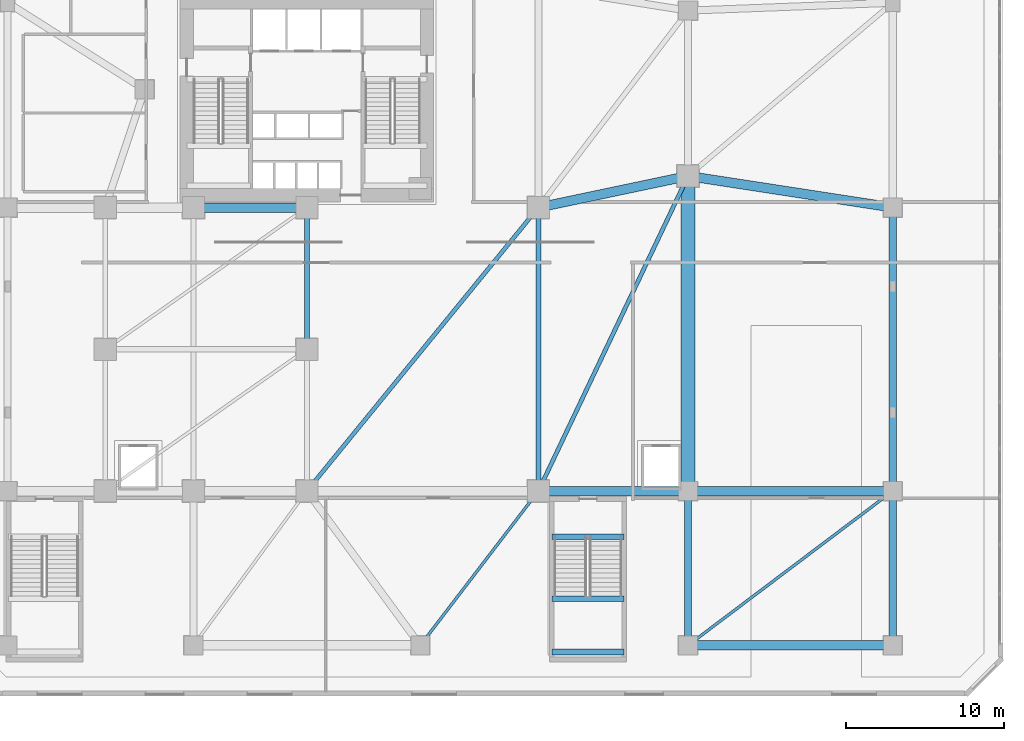
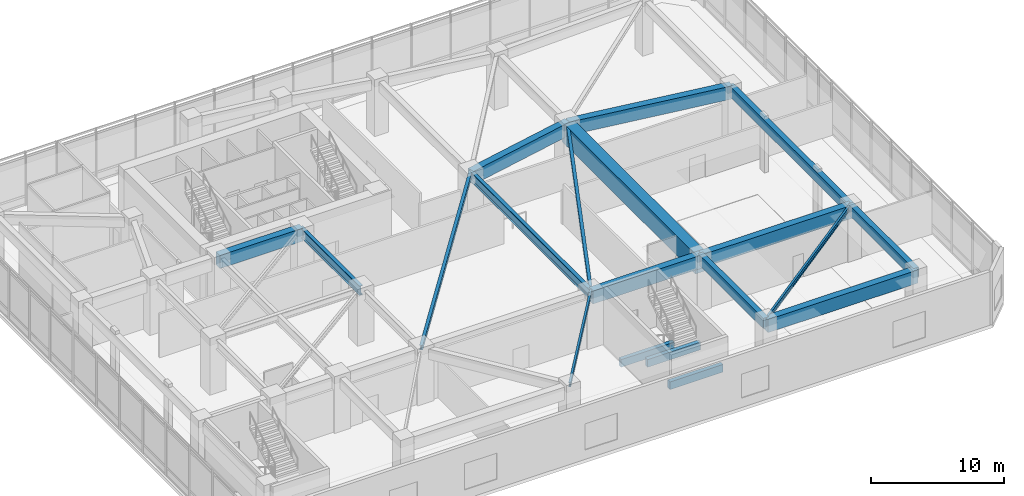
# One storey, part 4 of 16: 19 beams.
"""IFC4 building model written with IfcOpenShell, lengths in metres."""

import ifcopenshell
import ifcopenshell.guid

model = None  # the IFC model being written
_history = None  # IfcOwnerHistory: only IFC2X3 demands one
_inside = {}  # id of a spatial element -> (the spatial element, [elements in it])
_under = {}  # id of a project, library or spatial element -> (it, [spatial elements below it])
_declared = {}  # id of a project -> (the project, [libraries it declares])
_typed = {}  # id of a type object -> (the type object, [elements of that type])
_made_of = {}  # id of a material, layer set ... -> (it, [elements and type objects made of it])


def new_model(schema):
    """Start an empty IFC model of exactly this schema.

    Asked for "IFC4X3", IfcOpenShell would pick the latest addendum, in which some entities
    have other attributes; the version numbers below select the first issue.
    IFC2X3 requires an IfcOwnerHistory on every rooted entity: one is made here for all.
    """
    global model, _history
    if schema == "IFC4X3":
        model = ifcopenshell.file(schema_version=(4, 3, 0, 0))
    else:
        model = ifcopenshell.file(schema=schema)
    _inside.clear()
    _under.clear()
    _declared.clear()
    _typed.clear()
    _made_of.clear()
    _history = None
    if model.schema == "IFC2X3":
        org = make("IfcOrganization", Name="unknown")
        user = make(
            "IfcPersonAndOrganization",
            ThePerson=make("IfcPerson", FamilyName="unknown"),
            TheOrganization=org,
        )
        app = make(
            "IfcApplication",
            ApplicationDeveloper=org,
            Version="unknown",
            ApplicationFullName="unknown",
            ApplicationIdentifier="unknown",
        )
        _history = make(
            "IfcOwnerHistory",
            OwningUser=user,
            OwningApplication=app,
            ChangeAction="ADDED",
            CreationDate=0,
        )
    return model


def make(cls, **values):
    """One entity of the class cls with the attributes given. An attribute that is None is left unset."""
    return model.create_entity(
        cls, **{name: value for name, value in values.items() if value is not None}
    )


def rooted(cls, **values):
    """An entity with a GlobalId (a new one), such as an element, a storey or a relation."""
    return make(cls, GlobalId=ifcopenshell.guid.new(), OwnerHistory=_history, **values)


def si_unit(unit_type, name, prefix=None):
    """IfcSIUnit, for example si_unit("LENGTHUNIT", "METRE", prefix="MILLI")."""
    return make("IfcSIUnit", UnitType=unit_type, Prefix=prefix, Name=name)


def assignment(units):
    """IfcUnitAssignment: the units of a project."""
    return None if units is None else make("IfcUnitAssignment", Units=units)


def point(xyz):
    """IfcCartesianPoint."""
    return None if xyz is None else make("IfcCartesianPoint", Coordinates=xyz)


def direction(xyz):
    """IfcDirection."""
    return None if xyz is None else make("IfcDirection", DirectionRatios=xyz)


def frame(location, z_axis=None, x_axis=None):
    """IfcAxis2Placement3D, a coordinate frame: its origin and axes. An axis left out is left unset."""
    return make(
        "IfcAxis2Placement3D",
        Location=point(location),
        Axis=direction(z_axis),
        RefDirection=direction(x_axis),
    )


def frame_2d(location, x_axis=None):
    """IfcAxis2Placement2D, a coordinate frame in the plane: its origin and x axis."""
    return make(
        "IfcAxis2Placement2D", Location=point(location), RefDirection=direction(x_axis)
    )


def origin():
    """The frame at (0, 0, 0) with its axes left unset."""
    return frame((0.0, 0.0, 0.0))


def origin_2d():
    """The frame at (0, 0) in the plane with its x axis left unset."""
    return frame_2d((0.0, 0.0))


def place(relative_to, where):
    """IfcLocalPlacement: puts the frame where relative to a parent placement (None: the world)."""
    return make(
        "IfcLocalPlacement", PlacementRelTo=relative_to, RelativePlacement=where
    )


def context(
    kind, dimensions, precision=None, world=None, true_north=None, identifier=None
):
    """IfcGeometricRepresentationContext, for example the 3D "Model" context."""
    return make(
        "IfcGeometricRepresentationContext",
        ContextIdentifier=identifier,
        ContextType=kind,
        CoordinateSpaceDimension=dimensions,
        Precision=precision,
        WorldCoordinateSystem=world,
        TrueNorth=true_north,
    )


def subcontext(parent, identifier, kind, view, scale=None):
    """IfcGeometricRepresentationSubContext, for example "Body" below "Model"."""
    return make(
        "IfcGeometricRepresentationSubContext",
        ContextIdentifier=identifier,
        ContextType=kind,
        ParentContext=parent,
        TargetScale=scale,
        TargetView=view,
    )


def project(units=None, contexts=None):
    """IfcProject with its units and contexts."""
    return rooted(
        "IfcProject",
        Name="project",
        RepresentationContexts=contexts,
        UnitsInContext=assignment(units),
    )


def spatial(cls, under=None, at=None, **own):
    """A site, building, storey or space (cls), placed at a placement, below another one or the project."""
    s = rooted(cls, ObjectPlacement=at, **own)
    if under is not None:
        _under.setdefault(under.id(), (under, []))[1].append(s)
    return s


def profile(cls, at=None, kind="AREA", **sizes):
    """A parametric profile (cls). Its sizes go by their IFC names, for example OverallWidth=200.0."""
    return make(cls, ProfileType=kind, Position=at, **sizes)


def rectangle(**sizes):
    """IfcRectangleProfileDef."""
    return profile("IfcRectangleProfileDef", **sizes)


def i_section(**sizes):
    """IfcIShapeProfileDef."""
    return profile("IfcIShapeProfileDef", **sizes)


def extrude(swept, where, along, depth):
    """IfcExtrudedAreaSolid: the profile swept, set in the frame where, extruded along a direction by depth."""
    return make(
        "IfcExtrudedAreaSolid",
        SweptArea=swept,
        Position=where,
        ExtrudedDirection=direction(along),
        Depth=depth,
    )


def shape(context_of_items, identifier, shape_type, items):
    """IfcShapeRepresentation: the items that make up one representation, for example the "Body"."""
    return make(
        "IfcShapeRepresentation",
        ContextOfItems=context_of_items,
        RepresentationIdentifier=identifier,
        RepresentationType=shape_type,
        Items=items,
    )


def source(mapping_origin, context_of_items, identifier, shape_type, items):
    """IfcRepresentationMap: a shape defined once, which mapped items show again and again."""
    return make(
        "IfcRepresentationMap",
        MappingOrigin=mapping_origin,
        MappedRepresentation=shape(context_of_items, identifier, shape_type, items),
    )


def transform(
    local_origin,
    x_axis=None,
    y_axis=None,
    z_axis=None,
    scale=None,
    scale2=None,
    scale3=None,
    uniform=True,
):
    """IfcCartesianTransformationOperator3D, or its non-uniform kind. x_axis, y_axis, z_axis: its Axis1, 2, 3."""
    if uniform:
        return make(
            "IfcCartesianTransformationOperator3D",
            Axis1=direction(x_axis),
            Axis2=direction(y_axis),
            LocalOrigin=point(local_origin),
            Scale=scale,
            Axis3=direction(z_axis),
        )
    return make(
        "IfcCartesianTransformationOperator3DnonUniform",
        Axis1=direction(x_axis),
        Axis2=direction(y_axis),
        LocalOrigin=point(local_origin),
        Scale=scale,
        Axis3=direction(z_axis),
        Scale2=scale2,
        Scale3=scale3,
    )


def mapped(mapping_source, mapping_target):
    """IfcMappedItem: shows the shape of a source again, moved by a transform."""
    return make(
        "IfcMappedItem", MappingSource=mapping_source, MappingTarget=mapping_target
    )


def material(Name=None, Category=None):
    """IfcMaterial."""
    return make("IfcMaterial", Name=Name, Category=Category)


def material_profile(
    of_material, cross_section, Name=None, Category=None, Priority=None
):
    """IfcMaterialProfile: a cross section and its material."""
    return make(
        "IfcMaterialProfile",
        Name=Name,
        Material=of_material,
        Profile=cross_section,
        Priority=Priority,
        Category=Category,
    )


def profile_set(profiles, Name=None, composite=None):
    """IfcMaterialProfileSet."""
    return make(
        "IfcMaterialProfileSet",
        Name=Name,
        MaterialProfiles=profiles,
        CompositeProfile=composite,
    )


def made_of(thing, what):
    """Note that an element or type object is made of a material, layer set ...; save() writes the relation."""
    if what is not None:
        _made_of.setdefault(what.id(), (what, []))[1].append(thing)
    return thing


def type_object(cls, material=None, **own):
    """A type object (cls), such as IfcWallType, which elements share."""
    return made_of(rooted(cls, **own), material)


def element(
    cls,
    number,
    at=None,
    inside=None,
    cuts=None,
    type_object=None,
    material=None,
    context=None,
    identifier="Body",
    shape_type=None,
    held_by="IfcProductDefinitionShape",
    body=None,
    shapes=None,
    **own,
):
    """One element of the class cls, such as IfcWall. Its Tag is "e" and its number.

    at: its placement. inside: the storey or other place that contains it. cuts: it is an
    opening in that element (IfcRelVoidsElement). A single representation is given by context,
    identifier, shape_type and body (its items); several are given by shapes. held_by: the class
    of the entity that holds the representations. save() writes the other relations.
    """
    e = rooted(cls, Tag="e%d" % number, ObjectPlacement=at, **own)
    if body is not None:
        shapes = [shape(context, identifier, shape_type, body)]
    if shapes is not None:
        e.Representation = make(held_by, Representations=shapes)
    if inside is not None:
        _inside.setdefault(inside.id(), (inside, []))[1].append(e)
    if cuts is not None:
        rooted(
            "IfcRelVoidsElement", RelatingBuildingElement=cuts, RelatedOpeningElement=e
        )
    if type_object is not None:
        _typed.setdefault(type_object.id(), (type_object, []))[1].append(e)
    return made_of(e, material)


def aggregate(whole, parts):
    """IfcRelAggregates: a whole, such as a stair, and the parts it consists of."""
    return rooted("IfcRelAggregates", RelatingObject=whole, RelatedObjects=parts)


def save(model, path):
    """Write the relations noted so far, then the file.

    IfcRelAggregates (storeys below a building ...), IfcRelContainedInSpatialStructure (elements
    in a storey), IfcRelDefinesByType, IfcRelAssociatesMaterial and IfcRelDeclares: one each for
    every whole, place, type object, material and project.
    """
    for whole, parts in _under.values():
        aggregate(whole, parts)
    for where, things in _inside.values():
        rooted(
            "IfcRelContainedInSpatialStructure",
            RelatedElements=things,
            RelatingStructure=where,
        )
    for kind, things in _typed.values():
        rooted("IfcRelDefinesByType", RelatedObjects=things, RelatingType=kind)
    for what, things in _made_of.values():
        rooted("IfcRelAssociatesMaterial", RelatedObjects=things, RelatingMaterial=what)
    for by, libraries in _declared.values():
        rooted("IfcRelDeclares", RelatingContext=by, RelatedDefinitions=libraries)
    model.write(path)


model = new_model("IFC4")

# Units and contexts
model_context = context("Model", 3, precision=1e-05, world=origin(), true_north=direction((0.0, 1.0)))
body_context = subcontext(model_context, "Body", "Model", "MODEL_VIEW")
ifc_project = project(units=[si_unit("LENGTHUNIT", "METRE"), si_unit("AREAUNIT", "SQUARE_METRE"), si_unit("VOLUMEUNIT", "CUBIC_METRE"), si_unit("PLANEANGLEUNIT", "RADIAN"), si_unit("MASSUNIT", "GRAM", prefix="KILO")], contexts=[model_context])

# Site, building, storey
site_placement = place(None, origin())
site = spatial("IfcSite", under=ifc_project, at=site_placement, CompositionType="ELEMENT")
building_placement = place(site_placement, origin())
building = spatial("IfcBuilding", under=site, at=building_placement, Name="Calvemar Wedge Station Tower", CompositionType="ELEMENT")
storey_placement = place(building_placement, frame((0.0, 0.0, 6.0)))
storey = spatial("IfcBuildingStorey", under=building, at=storey_placement, Name="L02", CompositionType="ELEMENT", Elevation=6.0)

# Beams
ifc_material_1 = material(Name="Concrete C70", Category="concrete")
ifc_material_profile_1 = material_profile(ifc_material_1, rectangle(XDim=0.35009765625, YDim=0.699951171875, at=origin_2d()), Name="RC350x700")
ifc_profile_set_1 = profile_set([ifc_material_profile_1], Name="Concrete C70")
beam_type_1 = type_object("IfcBeamType", Name="BM-LN1-700", PredefinedType="LINTEL", material=ifc_profile_set_1)
shared_shape_1 = source(origin(), body_context, "Body", "SweptSolid", [
    extrude(rectangle(XDim=0.35009765625, YDim=0.699951171875, at=origin_2d()), origin(), (0.0, 0.0, 1.0), 4.599853515625),
])
for number, where, z_axis, x_axis, name in (
    (1, (39.35009765625, 12.10009765625, -0.35009765625), (1.0, 0.0, 0.0), (0.0, 1.0, 0.0), "Storey L02 Stair ST-P2 Landing Trimmer Beam"),
    (2, (39.35009765625, 4.780029296875, 2.050048828125), (1.0, 0.0, 0.0), (0.0, 1.0, 0.0), "Storey L02 Stair ST-P2 Half-Landing Beam 1A"),
    (3, (39.35009765625, 8.14990234375, 2.050048828125), (1.0, 0.0, 0.0), (0.0, 1.0, 0.0), "Storey L02 Stair ST-P2 Half-Landing Beam 1B"),
):
    element("IfcBeam", number, at=place(storey_placement, frame(where, z_axis=z_axis, x_axis=x_axis)), inside=storey, type_object=beam_type_1, Name=name, PredefinedType="LINTEL", context=body_context, shape_type="MappedRepresentation", body=[
        mapped(shared_shape_1, transform((0.0, 0.0, 0.0), scale=1.0)),
    ])
ifc_material_2 = material(Name="Concrete C60", Category="concrete")
ifc_material_profile_2 = material_profile(ifc_material_2, rectangle(XDim=0.60009765625, YDim=1.199951171875, at=origin_2d()), Name="RC600x1200")
ifc_profile_set_2 = profile_set([ifc_material_profile_2], Name="Concrete C60")
beam_type_2 = type_object("IfcBeamType", Name="BM-G1-1200", PredefinedType="BEAM", material=ifc_profile_set_2)
shared_shape_2 = source(origin(), body_context, "Body", "SweptSolid", [
    extrude(rectangle(XDim=0.60009765625, YDim=1.199951171875, at=origin_2d()), origin(), (0.0, 0.0, 1.0), 13.0),
])
for number, where, z_axis, x_axis, name in (
    (4, (48.0, 5.199951171875, 4.300048828125), (1.0, 0.0, 0.0), (0.0, 1.0, 0.0), "Storey L02 Primary Girder G04"),
    (5, (48.0, 15.0, 4.300048828125), (1.0, 0.0, 0.0), (0.0, 1.0, 0.0), "Storey L02 Primary Girder G10"),
):
    element("IfcBeam", number, at=place(storey_placement, frame(where, z_axis=z_axis, x_axis=x_axis)), inside=storey, type_object=beam_type_2, Name=name, PredefinedType="BEAM", context=body_context, shape_type="MappedRepresentation", body=[
        mapped(shared_shape_2, transform((0.0, 0.0, 0.0), scale=1.0)),
    ])
shared_shape_3 = source(origin(), body_context, "Body", "SweptSolid", [
    extrude(rectangle(XDim=0.60009765625, YDim=1.199951171875, at=origin_2d()), origin(), (0.0, 0.0, 1.0), 7.199951171875),
])
beam_1_placement = place(storey_placement, frame((16.60009765625, 33.0, 4.300048828125), z_axis=(1.0, 0.0, 0.0), x_axis=(0.0, 1.0, 0.0)))
element("IfcBeam", 6, at=beam_1_placement, inside=storey, type_object=beam_type_2, Name="Storey L02 Primary Girder G13", PredefinedType="BEAM", context=body_context, shape_type="MappedRepresentation", body=[
    mapped(shared_shape_3, transform((0.0, 0.0, 0.0), scale=1.0)),
])
shared_shape_4 = source(origin(), body_context, "Body", "SweptSolid", [
    extrude(rectangle(XDim=0.60009765625, YDim=1.199951171875, at=origin_2d()), origin(), (0.0, 0.0, 1.0), 9.5),
])
beam_2_placement = place(storey_placement, frame((38.5, 15.0, 4.300048828125), z_axis=(1.0, 0.0, 0.0), x_axis=(0.0, 1.0, 0.0)))
element("IfcBeam", 7, at=beam_2_placement, inside=storey, type_object=beam_type_2, Name="Storey L02 Primary Girder G09", PredefinedType="BEAM", context=body_context, shape_type="MappedRepresentation", body=[
    mapped(shared_shape_4, transform((0.0, 0.0, 0.0), scale=1.0)),
])
shared_shape_5 = source(origin(), body_context, "Body", "SweptSolid", [
    extrude(rectangle(XDim=0.60009765625, YDim=1.199951171875, at=origin_2d()), origin(), (0.0, 0.0, 1.0), 9.708251953125),
])
beam_3_placement = place(storey_placement, frame((38.5, 33.0, 4.300048828125), z_axis=(0.978549784987, 0.20601048105, 0.0), x_axis=(-0.20601048105, 0.978549784987, 0.0)))
element("IfcBeam", 8, at=beam_3_placement, inside=storey, type_object=beam_type_2, Name="Storey L02 Primary Girder G16", PredefinedType="BEAM", context=body_context, shape_type="MappedRepresentation", body=[
    mapped(shared_shape_5, transform((0.0, 0.0, 0.0), scale=1.0)),
])
shared_shape_6 = source(origin(), body_context, "Body", "SweptSolid", [
    extrude(rectangle(XDim=0.60009765625, YDim=1.199951171875, at=origin_2d()), origin(), (0.0, 0.0, 1.0), 13.15283203125),
])
beam_4_placement = place(storey_placement, frame((48.0, 35.0, 4.300048828125), z_axis=(0.988371697651, -0.152057184254, 0.0), x_axis=(0.152057184254, 0.988371697651, 0.0)))
element("IfcBeam", 9, at=beam_4_placement, inside=storey, type_object=beam_type_2, Name="Storey L02 Primary Girder G17", PredefinedType="BEAM", context=body_context, shape_type="MappedRepresentation", body=[
    mapped(shared_shape_6, transform((0.0, 0.0, 0.0), scale=1.0)),
])
ifc_material_3 = material(Name="Concrete C50", Category="concrete")
ifc_material_profile_3 = material_profile(ifc_material_3, rectangle(XDim=0.449951171875, YDim=0.949951171875, at=origin_2d()), Name="RC450x950")
ifc_profile_set_3 = profile_set([ifc_material_profile_3], Name="Concrete C50")
beam_type_3 = type_object("IfcBeamType", Name="BM-G2-950", PredefinedType="BEAM", material=ifc_profile_set_3)
shared_shape_7 = source(origin(), body_context, "Body", "SweptSolid", [
    extrude(rectangle(XDim=0.449951171875, YDim=0.949951171875, at=origin_2d()), origin(), (0.0, 0.0, 1.0), 18.0),
])
beam_5_placement = place(storey_placement, frame((61.0, 15.0, 4.425048828125), z_axis=(0.0, 1.0, 0.0), x_axis=(-1.0, 0.0, 0.0)))
element("IfcBeam", 10, at=beam_5_placement, inside=storey, type_object=beam_type_3, Name="Storey L02 Primary Girder G26", PredefinedType="BEAM", context=body_context, shape_type="MappedRepresentation", body=[
    mapped(shared_shape_7, transform((0.0, 0.0, 0.0), scale=1.0)),
])
ifc_material_4 = material(Name="Structural steel ASTM A572 Grade 50", Category="steel")
ifc_material_profile_4 = material_profile(ifc_material_4, i_section(OverallWidth=0.303955078125, OverallDepth=0.862060546875, WebThickness=0.019775390625, FlangeThickness=0.035888671875, FilletRadius=0.02001953125, at=origin_2d()), Name="W840x329")
ifc_profile_set_4 = profile_set([ifc_material_profile_4], Name="Structural steel ASTM A572 Grade 50")
beam_type_4 = type_object("IfcBeamType", Name="BM-TR2-W840", PredefinedType="BEAM", material=ifc_profile_set_4)
shared_shape_8 = source(origin(), body_context, "Body", "SweptSolid", [
    extrude(i_section(OverallWidth=0.303955078125, OverallDepth=0.862060546875, WebThickness=0.019775390625, FlangeThickness=0.035888671875, FilletRadius=0.02001953125, at=origin_2d()), origin(), (0.0, 0.0, 1.0), 9.0),
])
beam_6_placement = place(storey_placement, frame((23.800048828125, 24.0, 4.468994140625), z_axis=(0.0, 1.0, 0.0), x_axis=(-1.0, 0.0, 0.0)))
element("IfcBeam", 11, at=beam_6_placement, inside=storey, type_object=beam_type_4, Name="Storey L02 Primary Girder G23", PredefinedType="BEAM", context=body_context, shape_type="MappedRepresentation", body=[
    mapped(shared_shape_8, transform((0.0, 0.0, 0.0), scale=1.0)),
])
shared_shape_9 = source(origin(), body_context, "Body", "SweptSolid", [
    extrude(i_section(OverallWidth=0.303955078125, OverallDepth=0.862060546875, WebThickness=0.019775390625, FlangeThickness=0.035888671875, FilletRadius=0.02001953125, at=origin_2d()), origin(), (0.0, 0.0, 1.0), 18.0),
])
beam_7_placement = place(storey_placement, frame((38.5, 15.0, 4.468994140625), z_axis=(0.0, 1.0, 0.0), x_axis=(-1.0, 0.0, 0.0)))
element("IfcBeam", 12, at=beam_7_placement, inside=storey, type_object=beam_type_4, Name="Storey L02 Primary Girder G24", PredefinedType="BEAM", context=body_context, shape_type="MappedRepresentation", body=[
    mapped(shared_shape_9, transform((0.0, 0.0, 0.0), scale=1.0)),
])
ifc_material_profile_5 = material_profile(ifc_material_2, rectangle(XDim=0.89990234375, YDim=1.800048828125, at=origin_2d()), Name="RC900x1800")
ifc_profile_set_5 = profile_set([ifc_material_profile_5], Name="Concrete C60")
beam_type_5 = type_object("IfcBeamType", Name="BM-TG2-1800", PredefinedType="BEAM", material=ifc_profile_set_5)
shared_shape_10 = source(origin(), body_context, "Body", "SweptSolid", [
    extrude(rectangle(XDim=0.89990234375, YDim=1.800048828125, at=origin_2d()), origin(), (0.0, 0.0, 1.0), 20.0),
])
beam_8_placement = place(storey_placement, frame((48.0, 15.0, 4.0), z_axis=(0.0, 1.0, 0.0), x_axis=(-1.0, 0.0, 0.0)))
element("IfcBeam", 13, at=beam_8_placement, inside=storey, type_object=beam_type_5, Name="Storey L02 Primary Girder G25", PredefinedType="BEAM", context=body_context, shape_type="MappedRepresentation", body=[
    mapped(shared_shape_10, transform((0.0, 0.0, 0.0), scale=1.0)),
])
shared_shape_11 = source(origin(), body_context, "Body", "SweptSolid", [
    extrude(rectangle(XDim=0.449951171875, YDim=0.949951171875, at=origin_2d()), origin(), (0.0, 0.0, 1.0), 9.800048828125),
])
for number, where, z_axis, x_axis, name in (
    (14, (48.0, 5.199951171875, 4.425048828125), (0.0, 1.0, 0.0), (-1.0, 0.0, 0.0), "Storey L02 Primary Girder G31"),
    (15, (61.0, 5.199951171875, 4.425048828125), (0.0, 1.0, 0.0), (-1.0, 0.0, 0.0), "Storey L02 Primary Girder G32"),
):
    element("IfcBeam", number, at=place(storey_placement, frame(where, z_axis=z_axis, x_axis=x_axis)), inside=storey, type_object=beam_type_3, Name=name, PredefinedType="BEAM", context=body_context, shape_type="MappedRepresentation", body=[
        mapped(shared_shape_11, transform((0.0, 0.0, 0.0), scale=1.0)),
    ])
ifc_material_profile_6 = material_profile(ifc_material_4, i_section(OverallWidth=0.260986328125, OverallDepth=0.419921875, WebThickness=0.01171875, FlangeThickness=0.019287109375, FilletRadius=0.012939453125, at=origin_2d()), Name="W410x114")
ifc_profile_set_6 = profile_set([ifc_material_profile_6], Name="Structural steel ASTM A572 Grade 50")
beam_type_6 = type_object("IfcBeamType", Name="BM-J2-W410H", PredefinedType="JOIST", material=ifc_profile_set_6)
shared_shape_12 = source(origin(), body_context, "Body", "SweptSolid", [
    extrude(i_section(OverallWidth=0.260986328125, OverallDepth=0.419921875, WebThickness=0.01171875, FlangeThickness=0.019287109375, FilletRadius=0.012939453125, at=origin_2d()), origin(), (0.0, 0.0, 1.0), 23.23974609375),
])
beam_9_placement = place(storey_placement, frame((23.800048828125, 15.0, 4.68994140625), z_axis=(0.632533310438, 0.774533156931, 0.0), x_axis=(-0.774533156931, 0.632533310438, 0.0)))
element("IfcBeam", 16, at=beam_9_placement, inside=storey, type_object=beam_type_6, Name="Storey L02 Concourse Cross Joist 3", PredefinedType="JOIST", context=body_context, shape_type="MappedRepresentation", body=[
    mapped(shared_shape_12, transform((0.0, 0.0, 0.0), scale=1.0)),
])
shared_shape_13 = source(origin(), body_context, "Body", "SweptSolid", [
    extrude(i_section(OverallWidth=0.260986328125, OverallDepth=0.419921875, WebThickness=0.01171875, FlangeThickness=0.019287109375, FilletRadius=0.012939453125, at=origin_2d()), origin(), (0.0, 0.0, 1.0), 22.1416015625),
])
beam_10_placement = place(storey_placement, frame((38.5, 15.0, 4.68994140625), z_axis=(0.429056814568, 0.903277504354, 0.0), x_axis=(-0.903277504354, 0.429056814568, 0.0)))
element("IfcBeam", 17, at=beam_10_placement, inside=storey, type_object=beam_type_6, Name="Storey L02 Concourse Cross Joist 4", PredefinedType="JOIST", context=body_context, shape_type="MappedRepresentation", body=[
    mapped(shared_shape_13, transform((0.0, 0.0, 0.0), scale=1.0)),
])
ifc_material_profile_7 = material_profile(ifc_material_4, i_section(OverallWidth=0.177978515625, OverallDepth=0.406982421875, WebThickness=0.0078125, FlangeThickness=0.0126953125, FilletRadius=0.010009765625, at=origin_2d()), Name="W410x60")
ifc_profile_set_7 = profile_set([ifc_material_profile_7], Name="Structural steel ASTM A572 Grade 50")
beam_type_7 = type_object("IfcBeamType", Name="BM-J3-W410", PredefinedType="JOIST", material=ifc_profile_set_7)
shared_shape_14 = source(origin(), body_context, "Body", "SweptSolid", [
    extrude(i_section(OverallWidth=0.177978515625, OverallDepth=0.406982421875, WebThickness=0.0078125, FlangeThickness=0.0126953125, FilletRadius=0.010009765625, at=origin_2d()), origin(), (0.0, 0.0, 1.0), 12.340576171875),
])
beam_11_placement = place(storey_placement, frame((31.0, 5.199951171875, 4.696533203125), z_axis=(0.60774893356, 0.794129229884, 0.0), x_axis=(-0.794129229884, 0.60774893356, 0.0)))
element("IfcBeam", 18, at=beam_11_placement, inside=storey, type_object=beam_type_7, Name="Storey L02 Concourse Cross Joist 7", PredefinedType="JOIST", context=body_context, shape_type="MappedRepresentation", body=[
    mapped(shared_shape_14, transform((0.0, 0.0, 0.0), scale=1.0)),
])
shared_shape_15 = source(origin(), body_context, "Body", "SweptSolid", [
    extrude(i_section(OverallWidth=0.177978515625, OverallDepth=0.406982421875, WebThickness=0.0078125, FlangeThickness=0.0126953125, FilletRadius=0.010009765625, at=origin_2d()), origin(), (0.0, 0.0, 1.0), 16.280029296875),
])
beam_12_placement = place(storey_placement, frame((48.0, 5.199951171875, 4.696533203125), z_axis=(0.798521946551, 0.601965697425, 0.0), x_axis=(-0.601965697425, 0.798521946551, 0.0)))
element("IfcBeam", 19, at=beam_12_placement, inside=storey, type_object=beam_type_7, Name="Storey L02 Concourse Cross Joist 8", PredefinedType="JOIST", context=body_context, shape_type="MappedRepresentation", body=[
    mapped(shared_shape_15, transform((0.0, 0.0, 0.0), scale=1.0)),
])

save(model, "model.ifc")
